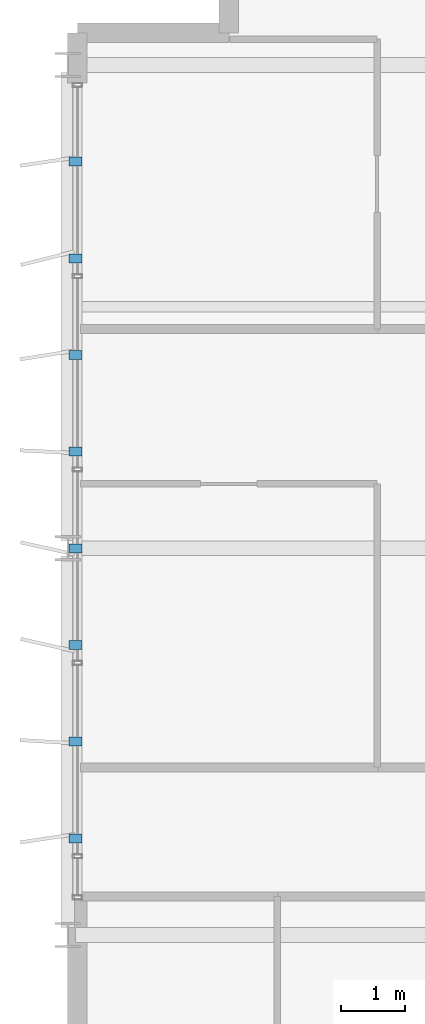
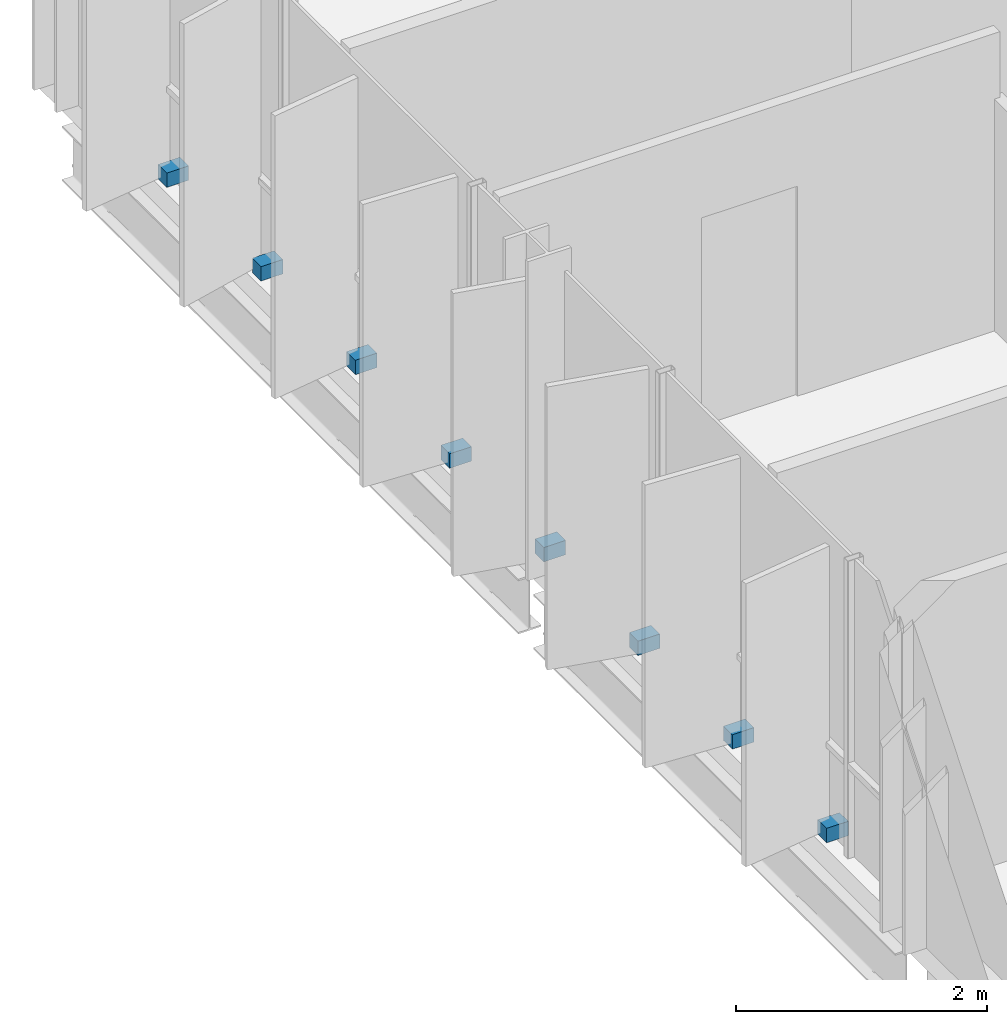
# One storey, part 33 of 38: 8 discrete accessories.
"""IFC4 building model written with IfcOpenShell, lengths in metres."""

from ifc_helpers import new_model, si_unit, direction, frame, origin, origin_2d, place, context, subcontext, project, spatial, rectangle, extrude, material, type_object, element, save


model = new_model("IFC4")

# Units and contexts
model_context = context("Model", 3, precision=1e-05, world=origin(), true_north=direction((0.0, 1.0)))
body_context = subcontext(model_context, "Body", "Model", "MODEL_VIEW")
ifc_project = project(units=[si_unit("LENGTHUNIT", "METRE"), si_unit("AREAUNIT", "SQUARE_METRE"), si_unit("VOLUMEUNIT", "CUBIC_METRE"), si_unit("PLANEANGLEUNIT", "RADIAN"), si_unit("MASSUNIT", "GRAM", prefix="KILO")], contexts=[model_context])

# Site, building, storey
site_placement = place(None, origin())
site = spatial("IfcSite", under=ifc_project, at=site_placement, CompositionType="ELEMENT")
building_placement = place(site_placement, origin())
building = spatial("IfcBuilding", under=site, at=building_placement, Name="Brevholm Reach", CompositionType="ELEMENT")
storey_placement = place(building_placement, frame((0.0, 0.0, 172.800048828125)))
storey = spatial("IfcBuildingStorey", under=building, at=storey_placement, Name="L52", CompositionType="ELEMENT", Elevation=172.800048828125)

# Discrete accessories
ifc_material = material(Name="Duplex Stainless Steel EN 1.4462", Category="steel")
discrete_accessory_type = type_object("IfcDiscreteAccessoryType", Name="ACC-BRK-01", PredefinedType="BRACKET", material=ifc_material)
for number, where, z_axis, x_axis, name in (
    (1, (0.1201171875, 11.5, 0.02978515625), (0.0, 0.0, 1.0), (-1.0, 0.0, 0.0), "L52 Solar Screen Support Bracket 1"),
    (2, (0.1201171875, 13.0, 0.02978515625), (0.0, 0.0, 1.0), (-1.0, 0.0, 0.0), "L52 Solar Screen Support Bracket 2"),
    (3, (0.1201171875, 14.5, 0.02978515625), (0.0, 0.0, 1.0), (-1.0, 0.0, 0.0), "L52 Solar Screen Support Bracket 3"),
    (4, (0.1201171875, 16.0, 0.02978515625), (0.0, 0.0, 1.0), (-1.0, 0.0, 0.0), "L52 Solar Screen Support Bracket 4"),
    (5, (0.1201171875, 17.5, 0.02978515625), (0.0, 0.0, 1.0), (-1.0, 0.0, 0.0), "L52 Solar Screen Support Bracket 5"),
    (6, (0.1201171875, 19.0, 0.02978515625), (0.0, 0.0, 1.0), (-1.0, 0.0, 0.0), "L52 Solar Screen Support Bracket 6"),
    (7, (0.1201171875, 20.5, 0.02978515625), (0.0, 0.0, 1.0), (-1.0, 0.0, 0.0), "L52 Solar Screen Support Bracket 7"),
    (8, (0.1201171875, 22.0, 0.02978515625), (0.0, 0.0, 1.0), (-1.0, 0.0, 0.0), "L52 Solar Screen Support Bracket 8"),
):
    element("IfcDiscreteAccessory", number, at=place(storey_placement, frame(where, z_axis=z_axis, x_axis=x_axis)), inside=storey, type_object=discrete_accessory_type, Name=name, PredefinedType="BRACKET", context=body_context, shape_type="SweptSolid", body=[
        extrude(rectangle(XDim=0.199951171875, YDim=0.139892578125, at=origin_2d()), origin(), (0.0, 0.0, 1.0), 0.139892578125),
    ])

save(model, "model.ifc")
